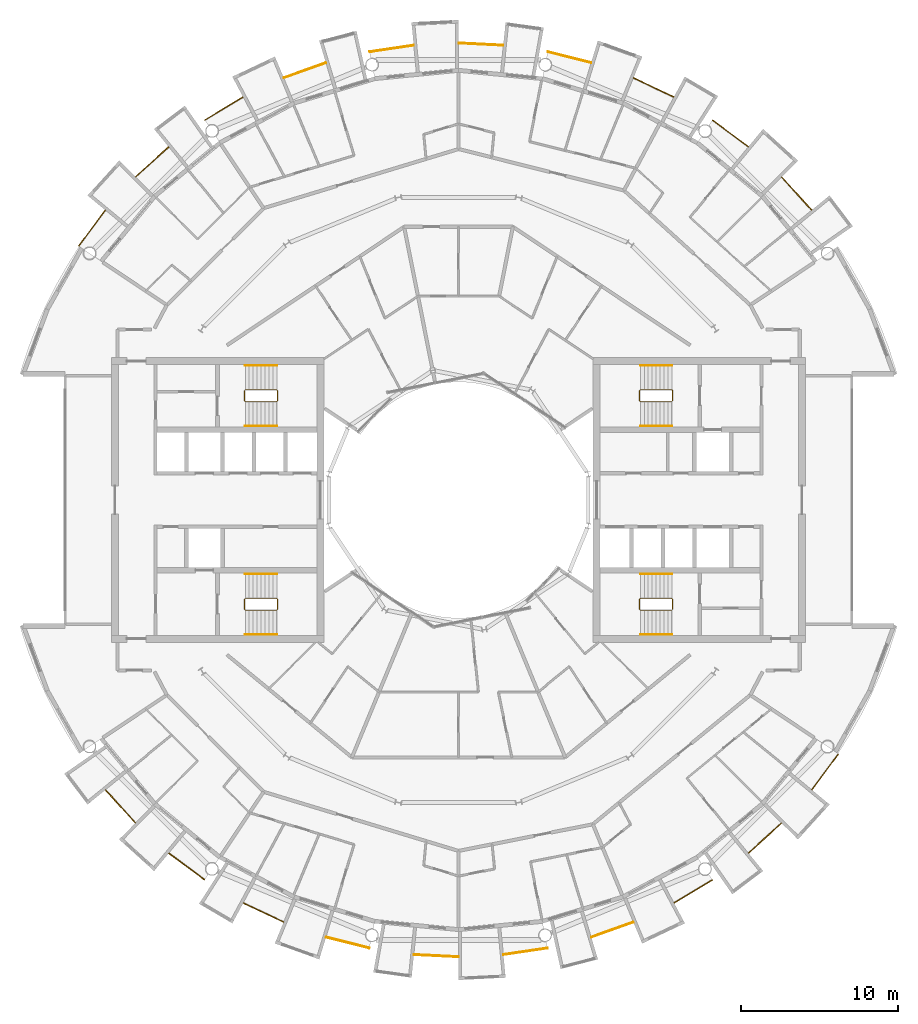
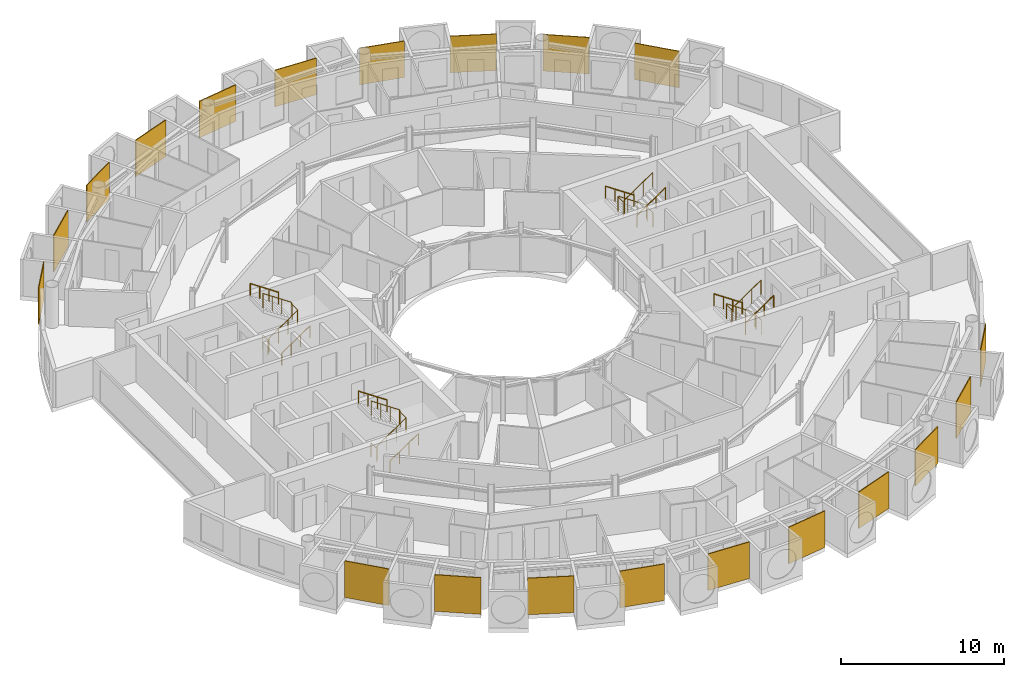
# One storey, part 27 of 27: 32 railings.
"""IFC4 building model written with IfcOpenShell, lengths in metres."""

from ifc_helpers import new_model, si_unit, direction, frame, origin, origin_2d, place, context, subcontext, project, spatial, polyline, circle, outline, extrude, material, layer, layer_set, type_object, element, save


model = new_model("IFC4")

# Units and contexts
model_context = context("Model", 3, precision=1e-05, world=origin(), true_north=direction((0.0, 1.0)))
body_context = subcontext(model_context, "Body", "Model", "MODEL_VIEW")
ifc_project = project(units=[si_unit("LENGTHUNIT", "METRE"), si_unit("AREAUNIT", "SQUARE_METRE"), si_unit("VOLUMEUNIT", "CUBIC_METRE"), si_unit("PLANEANGLEUNIT", "RADIAN"), si_unit("MASSUNIT", "GRAM", prefix="KILO")], contexts=[model_context])

# Site, building, storey
site_placement = place(None, origin())
site = spatial("IfcSite", under=ifc_project, at=site_placement, CompositionType="ELEMENT")
building_placement = place(site_placement, origin())
building = spatial("IfcBuilding", under=site, at=building_placement, Name="Maasbend Ring Residences", CompositionType="ELEMENT")
storey_placement = place(building_placement, frame((0.0, 0.0, 199.35009765625)))
storey = spatial("IfcBuildingStorey", under=building, at=storey_placement, Name="L57", CompositionType="ELEMENT", Elevation=199.35009765625)

# Railings
ifc_material_1 = material(Name="Pale anodised perforated aluminium", Category="aluminium")
ifc_layer = layer(ifc_material_1, 0.06005859375)
ifc_layer_set = layer_set([ifc_layer], Name="SCREEN-P")
railing_type_1 = type_object("IfcRailingType", Name="SCREEN-P", PredefinedType="GUARDRAIL", material=ifc_layer_set)
railing_1_placement = place(storey_placement, frame((0.0, 0.0, -0.030029296875)))
element("IfcRailing", 1, at=railing_1_placement, inside=storey, type_object=railing_type_1, Name="Perforated screen guard 1", PredefinedType="GUARDRAIL", context=body_context, shape_type="SweptSolid", body=[
    extrude(outline(polyline([(22.4169921875, 18.39697265625), (20.506103515625, 20.506103515625), (20.551025390625, 20.5458984375), (22.4619140625, 18.43798828125), (22.4169921875, 18.39697265625)])), origin(), (0.0, 0.0, 1.0), 2.72998046875),
])
railing_2_placement = place(storey_placement, frame((0.0, 0.0, -0.030029296875)))
element("IfcRailing", 2, at=railing_2_placement, inside=storey, type_object=railing_type_1, Name="Perforated screen guard 2", PredefinedType="GUARDRAIL", context=body_context, shape_type="SweptSolid", body=[
    extrude(outline(polyline([(18.39697265625, 22.4169921875), (16.112060546875, 24.113037109375), (16.14697265625, 24.160888671875), (18.43310546875, 22.465087890625), (18.39697265625, 22.4169921875)])), origin(), (0.0, 0.0, 1.0), 2.72998046875),
])
railing_3_placement = place(storey_placement, frame((0.0, 0.0, -0.030029296875)))
element("IfcRailing", 3, at=railing_3_placement, inside=storey, type_object=railing_type_1, Name="Perforated screen guard 3", PredefinedType="GUARDRAIL", context=body_context, shape_type="SweptSolid", body=[
    extrude(outline(polyline([(13.6708984375, 25.575927734375), (11.097900390625, 26.79296875), (11.123046875, 26.846923828125), (13.696044921875, 25.6298828125), (13.6708984375, 25.575927734375)])), origin(), (0.0, 0.0, 1.0), 2.72998046875),
])
railing_4_placement = place(storey_placement, frame((0.0, 0.0, -0.030029296875)))
element("IfcRailing", 4, at=railing_4_placement, inside=storey, type_object=railing_type_1, Name="Perforated screen guard 4", PredefinedType="GUARDRAIL", context=body_context, shape_type="SweptSolid", body=[
    extrude(outline(polyline([(8.41796875, 27.7509765625), (5.657958984375, 28.443115234375), (5.672119140625, 28.5009765625), (8.43310546875, 27.80908203125), (8.41796875, 27.7509765625)])), origin(), (0.0, 0.0, 1.0), 2.72998046875),
])
railing_5_placement = place(storey_placement, frame((0.0, 0.0, -0.030029296875)))
element("IfcRailing", 5, at=railing_5_placement, inside=storey, type_object=railing_type_1, Name="Perforated screen guard 5", PredefinedType="GUARDRAIL", context=body_context, shape_type="SweptSolid", body=[
    extrude(outline(polyline([(2.842041015625, 28.860107421875), (0.0, 29.0), (0.0029296875, 29.06005859375), (2.844970703125, 28.919921875), (2.842041015625, 28.860107421875)])), origin(), (0.0, 0.0, 1.0), 2.72998046875),
])
railing_6_placement = place(storey_placement, frame((0.0, 0.0, -0.030029296875)))
element("IfcRailing", 6, at=railing_6_placement, inside=storey, type_object=railing_type_1, Name="Perforated screen guard 6", PredefinedType="GUARDRAIL", context=body_context, shape_type="SweptSolid", body=[
    extrude(outline(polyline([(-2.842041015625, 28.860107421875), (-5.657958984375, 28.443115234375), (-5.666015625, 28.501953125), (-2.85107421875, 28.919921875), (-2.842041015625, 28.860107421875)])), origin(), (0.0, 0.0, 1.0), 2.72998046875),
])
railing_7_placement = place(storey_placement, frame((0.0, 0.0, -0.030029296875)))
element("IfcRailing", 7, at=railing_7_placement, inside=storey, type_object=railing_type_1, Name="Perforated screen guard 7", PredefinedType="GUARDRAIL", context=body_context, shape_type="SweptSolid", body=[
    extrude(outline(polyline([(-8.41796875, 27.7509765625), (-11.097900390625, 26.79296875), (-11.117919921875, 26.84912109375), (-8.43798828125, 27.80810546875), (-8.41796875, 27.7509765625)])), origin(), (0.0, 0.0, 1.0), 2.72998046875),
])
railing_8_placement = place(storey_placement, frame((0.0, 0.0, -0.030029296875)))
element("IfcRailing", 8, at=railing_8_placement, inside=storey, type_object=railing_type_1, Name="Perforated screen guard 8", PredefinedType="GUARDRAIL", context=body_context, shape_type="SweptSolid", body=[
    extrude(outline(polyline([(-13.6708984375, 25.575927734375), (-16.112060546875, 24.113037109375), (-16.14208984375, 24.1640625), (-13.700927734375, 25.626953125), (-13.6708984375, 25.575927734375)])), origin(), (0.0, 0.0, 1.0), 2.72998046875),
])
railing_9_placement = place(storey_placement, frame((0.0, 0.0, -0.030029296875)))
element("IfcRailing", 9, at=railing_9_placement, inside=storey, type_object=railing_type_1, Name="Perforated screen guard 9", PredefinedType="GUARDRAIL", context=body_context, shape_type="SweptSolid", body=[
    extrude(outline(polyline([(-18.39697265625, 22.4169921875), (-20.506103515625, 20.506103515625), (-20.5458984375, 20.551025390625), (-18.43798828125, 22.4619140625), (-18.39697265625, 22.4169921875)])), origin(), (0.0, 0.0, 1.0), 2.72998046875),
])
railing_10_placement = place(storey_placement, frame((0.0, 0.0, -0.030029296875)))
element("IfcRailing", 10, at=railing_10_placement, inside=storey, type_object=railing_type_1, Name="Perforated screen guard 10", PredefinedType="GUARDRAIL", context=body_context, shape_type="SweptSolid", body=[
    extrude(outline(polyline([(-22.4169921875, 18.39697265625), (-24.113037109375, 16.112060546875), (-24.160888671875, 16.14697265625), (-22.465087890625, 18.43310546875), (-22.4169921875, 18.39697265625)])), origin(), (0.0, 0.0, 1.0), 2.72998046875),
])
railing_11_placement = place(storey_placement, frame((0.0, 0.0, -0.030029296875)))
element("IfcRailing", 11, at=railing_11_placement, inside=storey, type_object=railing_type_1, Name="Perforated screen guard 1", PredefinedType="GUARDRAIL", context=body_context, shape_type="SweptSolid", body=[
    extrude(outline(polyline([(-22.4169921875, -18.39697265625), (-20.506103515625, -20.506103515625), (-20.551025390625, -20.5458984375), (-22.4619140625, -18.43798828125), (-22.4169921875, -18.39697265625)])), origin(), (0.0, 0.0, 1.0), 2.72998046875),
])
railing_12_placement = place(storey_placement, frame((0.0, 0.0, -0.030029296875)))
element("IfcRailing", 12, at=railing_12_placement, inside=storey, type_object=railing_type_1, Name="Perforated screen guard 2", PredefinedType="GUARDRAIL", context=body_context, shape_type="SweptSolid", body=[
    extrude(outline(polyline([(-18.39697265625, -22.4169921875), (-16.112060546875, -24.113037109375), (-16.14697265625, -24.160888671875), (-18.43310546875, -22.465087890625), (-18.39697265625, -22.4169921875)])), origin(), (0.0, 0.0, 1.0), 2.72998046875),
])
railing_13_placement = place(storey_placement, frame((0.0, 0.0, -0.030029296875)))
element("IfcRailing", 13, at=railing_13_placement, inside=storey, type_object=railing_type_1, Name="Perforated screen guard 3", PredefinedType="GUARDRAIL", context=body_context, shape_type="SweptSolid", body=[
    extrude(outline(polyline([(-13.6708984375, -25.575927734375), (-11.097900390625, -26.79296875), (-11.123046875, -26.846923828125), (-13.696044921875, -25.6298828125), (-13.6708984375, -25.575927734375)])), origin(), (0.0, 0.0, 1.0), 2.72998046875),
])
railing_14_placement = place(storey_placement, frame((0.0, 0.0, -0.030029296875)))
element("IfcRailing", 14, at=railing_14_placement, inside=storey, type_object=railing_type_1, Name="Perforated screen guard 4", PredefinedType="GUARDRAIL", context=body_context, shape_type="SweptSolid", body=[
    extrude(outline(polyline([(-8.41796875, -27.7509765625), (-5.657958984375, -28.443115234375), (-5.672119140625, -28.5009765625), (-8.43310546875, -27.80908203125), (-8.41796875, -27.7509765625)])), origin(), (0.0, 0.0, 1.0), 2.72998046875),
])
railing_15_placement = place(storey_placement, frame((0.0, 0.0, -0.030029296875)))
element("IfcRailing", 15, at=railing_15_placement, inside=storey, type_object=railing_type_1, Name="Perforated screen guard 5", PredefinedType="GUARDRAIL", context=body_context, shape_type="SweptSolid", body=[
    extrude(outline(polyline([(-2.842041015625, -28.860107421875), (0.0, -29.0), (-0.0029296875, -29.06005859375), (-2.844970703125, -28.919921875), (-2.842041015625, -28.860107421875)])), origin(), (0.0, 0.0, 1.0), 2.72998046875),
])
railing_16_placement = place(storey_placement, frame((0.0, 0.0, -0.030029296875)))
element("IfcRailing", 16, at=railing_16_placement, inside=storey, type_object=railing_type_1, Name="Perforated screen guard 6", PredefinedType="GUARDRAIL", context=body_context, shape_type="SweptSolid", body=[
    extrude(outline(polyline([(2.842041015625, -28.860107421875), (5.657958984375, -28.443115234375), (5.666015625, -28.501953125), (2.85107421875, -28.919921875), (2.842041015625, -28.860107421875)])), origin(), (0.0, 0.0, 1.0), 2.72998046875),
])
railing_17_placement = place(storey_placement, frame((0.0, 0.0, -0.030029296875)))
element("IfcRailing", 17, at=railing_17_placement, inside=storey, type_object=railing_type_1, Name="Perforated screen guard 7", PredefinedType="GUARDRAIL", context=body_context, shape_type="SweptSolid", body=[
    extrude(outline(polyline([(8.41796875, -27.7509765625), (11.097900390625, -26.79296875), (11.117919921875, -26.84912109375), (8.43798828125, -27.80810546875), (8.41796875, -27.7509765625)])), origin(), (0.0, 0.0, 1.0), 2.72998046875),
])
railing_18_placement = place(storey_placement, frame((0.0, 0.0, -0.030029296875)))
element("IfcRailing", 18, at=railing_18_placement, inside=storey, type_object=railing_type_1, Name="Perforated screen guard 8", PredefinedType="GUARDRAIL", context=body_context, shape_type="SweptSolid", body=[
    extrude(outline(polyline([(13.6708984375, -25.575927734375), (16.112060546875, -24.113037109375), (16.14208984375, -24.1640625), (13.700927734375, -25.626953125), (13.6708984375, -25.575927734375)])), origin(), (0.0, 0.0, 1.0), 2.72998046875),
])
railing_19_placement = place(storey_placement, frame((0.0, 0.0, -0.030029296875)))
element("IfcRailing", 19, at=railing_19_placement, inside=storey, type_object=railing_type_1, Name="Perforated screen guard 9", PredefinedType="GUARDRAIL", context=body_context, shape_type="SweptSolid", body=[
    extrude(outline(polyline([(18.39697265625, -22.4169921875), (20.506103515625, -20.506103515625), (20.5458984375, -20.551025390625), (18.43798828125, -22.4619140625), (18.39697265625, -22.4169921875)])), origin(), (0.0, 0.0, 1.0), 2.72998046875),
])
railing_20_placement = place(storey_placement, frame((0.0, 0.0, -0.030029296875)))
element("IfcRailing", 20, at=railing_20_placement, inside=storey, type_object=railing_type_1, Name="Perforated screen guard 10", PredefinedType="GUARDRAIL", context=body_context, shape_type="SweptSolid", body=[
    extrude(outline(polyline([(22.4169921875, -18.39697265625), (24.113037109375, -16.112060546875), (24.160888671875, -16.14697265625), (22.465087890625, -18.43310546875), (22.4169921875, -18.39697265625)])), origin(), (0.0, 0.0, 1.0), 2.72998046875),
])
ifc_material_2 = material(Name="Stainless steel 316", Category="steel")
railing_type_2 = type_object("IfcRailingType", Name="STAIR GUARD 1100", PredefinedType="GUARDRAIL", material=ifc_material_2)
railing_21_placement = place(storey_placement, frame((13.60009765625, 6.300048828125, 0.0)))
element("IfcRailing", 21, at=railing_21_placement, inside=storey, type_object=railing_type_2, Name="L57 ST-E1 stair guard 1", PredefinedType="GUARDRAIL", context=body_context, shape_type="SweptSolid", body=[
    extrude(circle(Radius=0.02392578125, at=origin_2d()), frame((0.0, 0.0, 1.076171875), z_axis=(0.0, 1.0, 0.0), x_axis=(-1.0, 0.0, 0.0)), (0.0, 0.0, 1.0), 0.64990234375),
    extrude(circle(Radius=0.02392578125, at=origin_2d()), frame((0.0, 0.64990234375, 1.076171875), z_axis=(-0.272562526181, 0.272562526181, 0.92272386912), x_axis=(-0.707106781187, -0.707106781187, 0.0)), (0.0, 0.0, 1.0), 0.18359375),
    extrude(circle(Radius=0.02392578125, at=origin_2d()), frame((-0.050048828125, 0.699951171875, 1.24560546875), z_axis=(-0.827797584762, 0.0, 0.561026878735), x_axis=(0.0, -1.0, 0.0)), (0.0, 0.0, 1.0), 2.416015625),
    extrude(circle(Radius=0.02392578125, at=origin_2d()), frame((-2.050048828125, 0.699951171875, 2.60107421875), z_axis=(-0.707106781187, -0.707106781187, 0.0), x_axis=(0.707106781187, -0.707106781187, 0.0)), (0.0, 0.0, 1.0), 0.07080078125),
    extrude(circle(Radius=0.02392578125, at=origin_2d()), frame((-2.10009765625, 0.64990234375, 2.60107421875), z_axis=(0.0, -1.0, 0.0), x_axis=(1.0, 0.0, 0.0)), (0.0, 0.0, 1.0), 0.64990234375),
    extrude(circle(Radius=0.02392578125, at=origin_2d()), frame((-2.10009765625, 0.0, 2.60107421875), z_axis=(0.272562526181, -0.272562526181, 0.92272386912), x_axis=(0.707106781187, 0.707106781187, 0.0)), (0.0, 0.0, 1.0), 0.18359375),
    extrude(circle(Radius=0.02392578125, at=origin_2d()), frame((-2.050048828125, -0.050048828125, 2.7705078125), z_axis=(0.827797584762, 0.0, 0.561026878735), x_axis=(0.0, 1.0, 0.0)), (0.0, 0.0, 1.0), 2.416015625),
    extrude(circle(Radius=0.02099609375, at=origin_2d()), origin(), (0.0, 0.0, 1.0), 1.052001953125),
    extrude(circle(Radius=0.02099609375, at=origin_2d()), frame((0.0, 0.64990234375, 0.0)), (0.0, 0.0, 1.0), 1.052001953125),
    extrude(circle(Radius=0.02099609375, at=origin_2d()), frame((-0.050048828125, 0.699951171875, 0.16943359375)), (0.0, 0.0, 1.0), 1.052001953125),
    extrude(circle(Radius=0.02099609375, at=origin_2d()), frame((-0.716796875, 0.699951171875, 0.621337890625)), (0.0, 0.0, 1.0), 1.052001953125),
    extrude(circle(Radius=0.02099609375, at=origin_2d()), frame((-1.38330078125, 0.699951171875, 1.072998046875)), (0.0, 0.0, 1.0), 1.052001953125),
    extrude(circle(Radius=0.02099609375, at=origin_2d()), frame((-2.050048828125, 0.699951171875, 1.52490234375)), (0.0, 0.0, 1.0), 1.052001953125),
    extrude(circle(Radius=0.02099609375, at=origin_2d()), frame((-2.10009765625, 0.64990234375, 1.52490234375)), (0.0, 0.0, 1.0), 1.052001953125),
    extrude(circle(Radius=0.02099609375, at=origin_2d()), frame((-2.10009765625, 0.0, 1.52490234375)), (0.0, 0.0, 1.0), 1.052001953125),
    extrude(circle(Radius=0.02099609375, at=origin_2d()), frame((-2.050048828125, -0.050048828125, 1.6943359375)), (0.0, 0.0, 1.0), 1.052001953125),
    extrude(circle(Radius=0.02099609375, at=origin_2d()), frame((-1.38330078125, -0.050048828125, 2.146240234375)), (0.0, 0.0, 1.0), 1.052001953125),
    extrude(circle(Radius=0.02099609375, at=origin_2d()), frame((-0.716796875, -0.050048828125, 2.597900390625)), (0.0, 0.0, 1.0), 1.052001953125),
    extrude(circle(Radius=0.02099609375, at=origin_2d()), frame((-0.050048828125, -0.050048828125, 3.0498046875)), (0.0, 0.0, 1.0), 1.052001953125),
])
railing_22_placement = place(storey_placement, frame((13.60009765625, -6.949951171875, 0.0)))
element("IfcRailing", 22, at=railing_22_placement, inside=storey, type_object=railing_type_2, Name="L57 ST-E2 stair guard 1", PredefinedType="GUARDRAIL", context=body_context, shape_type="SweptSolid", body=[
    extrude(circle(Radius=0.02392578125, at=origin_2d()), frame((0.0, 0.0, 1.076171875), z_axis=(0.0, 1.0, 0.0), x_axis=(-1.0, 0.0, 0.0)), (0.0, 0.0, 1.0), 0.64990234375),
    extrude(circle(Radius=0.02392578125, at=origin_2d()), frame((0.0, 0.64990234375, 1.076171875), z_axis=(-0.272562526181, 0.272562526181, 0.92272386912), x_axis=(-0.707106781187, -0.707106781187, 0.0)), (0.0, 0.0, 1.0), 0.18359375),
    extrude(circle(Radius=0.02392578125, at=origin_2d()), frame((-0.050048828125, 0.699951171875, 1.24560546875), z_axis=(-0.827797584762, 0.0, 0.561026878735), x_axis=(0.0, -1.0, 0.0)), (0.0, 0.0, 1.0), 2.416015625),
    extrude(circle(Radius=0.02392578125, at=origin_2d()), frame((-2.050048828125, 0.699951171875, 2.60107421875), z_axis=(-0.707106781187, -0.707106781187, 0.0), x_axis=(0.707106781187, -0.707106781187, 0.0)), (0.0, 0.0, 1.0), 0.07080078125),
    extrude(circle(Radius=0.02392578125, at=origin_2d()), frame((-2.10009765625, 0.64990234375, 2.60107421875), z_axis=(0.0, -1.0, 0.0), x_axis=(1.0, 0.0, 0.0)), (0.0, 0.0, 1.0), 0.64990234375),
    extrude(circle(Radius=0.02392578125, at=origin_2d()), frame((-2.10009765625, 0.0, 2.60107421875), z_axis=(0.272562526181, -0.272562526181, 0.92272386912), x_axis=(0.707106781187, 0.707106781187, 0.0)), (0.0, 0.0, 1.0), 0.18359375),
    extrude(circle(Radius=0.02392578125, at=origin_2d()), frame((-2.050048828125, -0.050048828125, 2.7705078125), z_axis=(0.827797584762, 0.0, 0.561026878735), x_axis=(0.0, 1.0, 0.0)), (0.0, 0.0, 1.0), 2.416015625),
    extrude(circle(Radius=0.02099609375, at=origin_2d()), origin(), (0.0, 0.0, 1.0), 1.052001953125),
    extrude(circle(Radius=0.02099609375, at=origin_2d()), frame((0.0, 0.64990234375, 0.0)), (0.0, 0.0, 1.0), 1.052001953125),
    extrude(circle(Radius=0.02099609375, at=origin_2d()), frame((-0.050048828125, 0.699951171875, 0.16943359375)), (0.0, 0.0, 1.0), 1.052001953125),
    extrude(circle(Radius=0.02099609375, at=origin_2d()), frame((-0.716796875, 0.699951171875, 0.621337890625)), (0.0, 0.0, 1.0), 1.052001953125),
    extrude(circle(Radius=0.02099609375, at=origin_2d()), frame((-1.38330078125, 0.699951171875, 1.072998046875)), (0.0, 0.0, 1.0), 1.052001953125),
    extrude(circle(Radius=0.02099609375, at=origin_2d()), frame((-2.050048828125, 0.699951171875, 1.52490234375)), (0.0, 0.0, 1.0), 1.052001953125),
    extrude(circle(Radius=0.02099609375, at=origin_2d()), frame((-2.10009765625, 0.64990234375, 1.52490234375)), (0.0, 0.0, 1.0), 1.052001953125),
    extrude(circle(Radius=0.02099609375, at=origin_2d()), frame((-2.10009765625, 0.0, 1.52490234375)), (0.0, 0.0, 1.0), 1.052001953125),
    extrude(circle(Radius=0.02099609375, at=origin_2d()), frame((-2.050048828125, -0.050048828125, 1.6943359375)), (0.0, 0.0, 1.0), 1.052001953125),
    extrude(circle(Radius=0.02099609375, at=origin_2d()), frame((-1.38330078125, -0.050048828125, 2.146240234375)), (0.0, 0.0, 1.0), 1.052001953125),
    extrude(circle(Radius=0.02099609375, at=origin_2d()), frame((-0.716796875, -0.050048828125, 2.597900390625)), (0.0, 0.0, 1.0), 1.052001953125),
    extrude(circle(Radius=0.02099609375, at=origin_2d()), frame((-0.050048828125, -0.050048828125, 3.0498046875)), (0.0, 0.0, 1.0), 1.052001953125),
])
railing_23_placement = place(storey_placement, frame((-13.60009765625, -6.300048828125, 0.0)))
element("IfcRailing", 23, at=railing_23_placement, inside=storey, type_object=railing_type_2, Name="L57 ST-W1 stair guard 1", PredefinedType="GUARDRAIL", context=body_context, shape_type="SweptSolid", body=[
    extrude(circle(Radius=0.02392578125, at=origin_2d()), frame((0.0, 0.0, 1.076171875), z_axis=(0.0, -1.0, 0.0), x_axis=(1.0, 0.0, 0.0)), (0.0, 0.0, 1.0), 0.64990234375),
    extrude(circle(Radius=0.02392578125, at=origin_2d()), frame((0.0, -0.64990234375, 1.076171875), z_axis=(0.272562526181, -0.272562526181, 0.92272386912), x_axis=(0.707106781187, 0.707106781187, 0.0)), (0.0, 0.0, 1.0), 0.18359375),
    extrude(circle(Radius=0.02392578125, at=origin_2d()), frame((0.050048828125, -0.699951171875, 1.24560546875), z_axis=(0.827797584762, 0.0, 0.561026878735), x_axis=(0.0, 1.0, 0.0)), (0.0, 0.0, 1.0), 2.416015625),
    extrude(circle(Radius=0.02392578125, at=origin_2d()), frame((2.050048828125, -0.699951171875, 2.60107421875), z_axis=(0.707106781187, 0.707106781187, 0.0), x_axis=(-0.707106781187, 0.707106781187, 0.0)), (0.0, 0.0, 1.0), 0.07080078125),
    extrude(circle(Radius=0.02392578125, at=origin_2d()), frame((2.10009765625, -0.64990234375, 2.60107421875), z_axis=(0.0, 1.0, 0.0), x_axis=(-1.0, 0.0, 0.0)), (0.0, 0.0, 1.0), 0.64990234375),
    extrude(circle(Radius=0.02392578125, at=origin_2d()), frame((2.10009765625, 0.0, 2.60107421875), z_axis=(-0.272562526181, 0.272562526181, 0.92272386912), x_axis=(-0.707106781187, -0.707106781187, 0.0)), (0.0, 0.0, 1.0), 0.18359375),
    extrude(circle(Radius=0.02392578125, at=origin_2d()), frame((2.050048828125, 0.050048828125, 2.7705078125), z_axis=(-0.827797584762, 0.0, 0.561026878735), x_axis=(0.0, -1.0, 0.0)), (0.0, 0.0, 1.0), 2.416015625),
    extrude(circle(Radius=0.02099609375, at=origin_2d()), origin(), (0.0, 0.0, 1.0), 1.052001953125),
    extrude(circle(Radius=0.02099609375, at=origin_2d()), frame((0.0, -0.64990234375, 0.0)), (0.0, 0.0, 1.0), 1.052001953125),
    extrude(circle(Radius=0.02099609375, at=origin_2d()), frame((0.050048828125, -0.699951171875, 0.16943359375)), (0.0, 0.0, 1.0), 1.052001953125),
    extrude(circle(Radius=0.02099609375, at=origin_2d()), frame((0.716796875, -0.699951171875, 0.621337890625)), (0.0, 0.0, 1.0), 1.052001953125),
    extrude(circle(Radius=0.02099609375, at=origin_2d()), frame((1.38330078125, -0.699951171875, 1.072998046875)), (0.0, 0.0, 1.0), 1.052001953125),
    extrude(circle(Radius=0.02099609375, at=origin_2d()), frame((2.050048828125, -0.699951171875, 1.52490234375)), (0.0, 0.0, 1.0), 1.052001953125),
    extrude(circle(Radius=0.02099609375, at=origin_2d()), frame((2.10009765625, -0.64990234375, 1.52490234375)), (0.0, 0.0, 1.0), 1.052001953125),
    extrude(circle(Radius=0.02099609375, at=origin_2d()), frame((2.10009765625, 0.0, 1.52490234375)), (0.0, 0.0, 1.0), 1.052001953125),
    extrude(circle(Radius=0.02099609375, at=origin_2d()), frame((2.050048828125, 0.050048828125, 1.6943359375)), (0.0, 0.0, 1.0), 1.052001953125),
    extrude(circle(Radius=0.02099609375, at=origin_2d()), frame((1.38330078125, 0.050048828125, 2.146240234375)), (0.0, 0.0, 1.0), 1.052001953125),
    extrude(circle(Radius=0.02099609375, at=origin_2d()), frame((0.716796875, 0.050048828125, 2.597900390625)), (0.0, 0.0, 1.0), 1.052001953125),
    extrude(circle(Radius=0.02099609375, at=origin_2d()), frame((0.050048828125, 0.050048828125, 3.0498046875)), (0.0, 0.0, 1.0), 1.052001953125),
])
railing_24_placement = place(storey_placement, frame((-13.60009765625, 6.949951171875, 0.0)))
element("IfcRailing", 24, at=railing_24_placement, inside=storey, type_object=railing_type_2, Name="L57 ST-W2 stair guard 1", PredefinedType="GUARDRAIL", context=body_context, shape_type="SweptSolid", body=[
    extrude(circle(Radius=0.02392578125, at=origin_2d()), frame((0.0, 0.0, 1.076171875), z_axis=(0.0, -1.0, 0.0), x_axis=(1.0, 0.0, 0.0)), (0.0, 0.0, 1.0), 0.64990234375),
    extrude(circle(Radius=0.02392578125, at=origin_2d()), frame((0.0, -0.64990234375, 1.076171875), z_axis=(0.272562526181, -0.272562526181, 0.92272386912), x_axis=(0.707106781187, 0.707106781187, 0.0)), (0.0, 0.0, 1.0), 0.18359375),
    extrude(circle(Radius=0.02392578125, at=origin_2d()), frame((0.050048828125, -0.699951171875, 1.24560546875), z_axis=(0.827797584762, 0.0, 0.561026878735), x_axis=(0.0, 1.0, 0.0)), (0.0, 0.0, 1.0), 2.416015625),
    extrude(circle(Radius=0.02392578125, at=origin_2d()), frame((2.050048828125, -0.699951171875, 2.60107421875), z_axis=(0.707106781187, 0.707106781187, 0.0), x_axis=(-0.707106781187, 0.707106781187, 0.0)), (0.0, 0.0, 1.0), 0.07080078125),
    extrude(circle(Radius=0.02392578125, at=origin_2d()), frame((2.10009765625, -0.64990234375, 2.60107421875), z_axis=(0.0, 1.0, 0.0), x_axis=(-1.0, 0.0, 0.0)), (0.0, 0.0, 1.0), 0.64990234375),
    extrude(circle(Radius=0.02392578125, at=origin_2d()), frame((2.10009765625, 0.0, 2.60107421875), z_axis=(-0.272562526181, 0.272562526181, 0.92272386912), x_axis=(-0.707106781187, -0.707106781187, 0.0)), (0.0, 0.0, 1.0), 0.18359375),
    extrude(circle(Radius=0.02392578125, at=origin_2d()), frame((2.050048828125, 0.050048828125, 2.7705078125), z_axis=(-0.827797584762, 0.0, 0.561026878735), x_axis=(0.0, -1.0, 0.0)), (0.0, 0.0, 1.0), 2.416015625),
    extrude(circle(Radius=0.02099609375, at=origin_2d()), origin(), (0.0, 0.0, 1.0), 1.052001953125),
    extrude(circle(Radius=0.02099609375, at=origin_2d()), frame((0.0, -0.64990234375, 0.0)), (0.0, 0.0, 1.0), 1.052001953125),
    extrude(circle(Radius=0.02099609375, at=origin_2d()), frame((0.050048828125, -0.699951171875, 0.16943359375)), (0.0, 0.0, 1.0), 1.052001953125),
    extrude(circle(Radius=0.02099609375, at=origin_2d()), frame((0.716796875, -0.699951171875, 0.621337890625)), (0.0, 0.0, 1.0), 1.052001953125),
    extrude(circle(Radius=0.02099609375, at=origin_2d()), frame((1.38330078125, -0.699951171875, 1.072998046875)), (0.0, 0.0, 1.0), 1.052001953125),
    extrude(circle(Radius=0.02099609375, at=origin_2d()), frame((2.050048828125, -0.699951171875, 1.52490234375)), (0.0, 0.0, 1.0), 1.052001953125),
    extrude(circle(Radius=0.02099609375, at=origin_2d()), frame((2.10009765625, -0.64990234375, 1.52490234375)), (0.0, 0.0, 1.0), 1.052001953125),
    extrude(circle(Radius=0.02099609375, at=origin_2d()), frame((2.10009765625, 0.0, 1.52490234375)), (0.0, 0.0, 1.0), 1.052001953125),
    extrude(circle(Radius=0.02099609375, at=origin_2d()), frame((2.050048828125, 0.050048828125, 1.6943359375)), (0.0, 0.0, 1.0), 1.052001953125),
    extrude(circle(Radius=0.02099609375, at=origin_2d()), frame((1.38330078125, 0.050048828125, 2.146240234375)), (0.0, 0.0, 1.0), 1.052001953125),
    extrude(circle(Radius=0.02099609375, at=origin_2d()), frame((0.716796875, 0.050048828125, 2.597900390625)), (0.0, 0.0, 1.0), 1.052001953125),
    extrude(circle(Radius=0.02099609375, at=origin_2d()), frame((0.050048828125, 0.050048828125, 3.0498046875)), (0.0, 0.0, 1.0), 1.052001953125),
])
ifc_material_3 = material(Name="Stainless steel 316", Category="steel")
railing_type_3 = type_object("IfcRailingType", Name="STAIR HANDRAIL 900", PredefinedType="HANDRAIL", material=ifc_material_3)
railing_25_placement = place(storey_placement, frame((13.550048828125, 8.550048828125, 0.16943359375)))
element("IfcRailing", 25, at=railing_25_placement, inside=storey, type_object=railing_type_3, Name="L57 ST-E1 stair handrail 1", PredefinedType="HANDRAIL", context=body_context, shape_type="SweptSolid", body=[
    extrude(circle(Radius=0.02392578125, at=origin_2d()), frame((0.0, 0.0, 0.8759765625), z_axis=(-0.827797584762, 0.0, 0.561026878735), x_axis=(0.0, -1.0, 0.0)), (0.0, 0.0, 1.0), 2.416015625),
    extrude(circle(Radius=0.02099609375, at=origin_2d()), origin(), (0.0, 0.0, 1.0), 0.851806640625),
    extrude(circle(Radius=0.02099609375, at=origin_2d()), frame((-0.666748046875, 0.0, 0.451904296875)), (0.0, 0.0, 1.0), 0.851806640625),
    extrude(circle(Radius=0.02099609375, at=origin_2d()), frame((-1.333251953125, 0.0, 0.903564453125)), (0.0, 0.0, 1.0), 0.851806640625),
    extrude(circle(Radius=0.02099609375, at=origin_2d()), frame((-2.0, 0.0, 1.35546875)), (0.0, 0.0, 1.0), 0.851806640625),
])
railing_26_placement = place(storey_placement, frame((11.550048828125, 4.699951171875, 1.6943359375)))
element("IfcRailing", 26, at=railing_26_placement, inside=storey, type_object=railing_type_3, Name="L57 ST-E1 stair handrail 2", PredefinedType="HANDRAIL", context=body_context, shape_type="SweptSolid", body=[
    extrude(circle(Radius=0.02392578125, at=origin_2d()), frame((0.0, 0.0, 0.8759765625), z_axis=(0.827797584762, 0.0, 0.561026878735), x_axis=(0.0, 1.0, 0.0)), (0.0, 0.0, 1.0), 2.416015625),
    extrude(circle(Radius=0.02099609375, at=origin_2d()), origin(), (0.0, 0.0, 1.0), 0.851806640625),
    extrude(circle(Radius=0.02099609375, at=origin_2d()), frame((0.666748046875, 0.0, 0.451904296875)), (0.0, 0.0, 1.0), 0.851806640625),
    extrude(circle(Radius=0.02099609375, at=origin_2d()), frame((1.333251953125, 0.0, 0.903564453125)), (0.0, 0.0, 1.0), 0.851806640625),
    extrude(circle(Radius=0.02099609375, at=origin_2d()), frame((2.0, 0.0, 1.35546875)), (0.0, 0.0, 1.0), 0.851806640625),
])
railing_27_placement = place(storey_placement, frame((13.550048828125, -4.699951171875, 0.16943359375)))
element("IfcRailing", 27, at=railing_27_placement, inside=storey, type_object=railing_type_3, Name="L57 ST-E2 stair handrail 1", PredefinedType="HANDRAIL", context=body_context, shape_type="SweptSolid", body=[
    extrude(circle(Radius=0.02392578125, at=origin_2d()), frame((0.0, 0.0, 0.8759765625), z_axis=(-0.827797584762, 0.0, 0.561026878735), x_axis=(0.0, -1.0, 0.0)), (0.0, 0.0, 1.0), 2.416015625),
    extrude(circle(Radius=0.02099609375, at=origin_2d()), origin(), (0.0, 0.0, 1.0), 0.851806640625),
    extrude(circle(Radius=0.02099609375, at=origin_2d()), frame((-0.666748046875, 0.0, 0.451904296875)), (0.0, 0.0, 1.0), 0.851806640625),
    extrude(circle(Radius=0.02099609375, at=origin_2d()), frame((-1.333251953125, 0.0, 0.903564453125)), (0.0, 0.0, 1.0), 0.851806640625),
    extrude(circle(Radius=0.02099609375, at=origin_2d()), frame((-2.0, 0.0, 1.35546875)), (0.0, 0.0, 1.0), 0.851806640625),
])
for number, where, name in (
    (28, (11.550048828125, -8.550048828125, 1.6943359375), "L57 ST-E2 stair handrail 2"),
    (29, (-13.550048828125, -8.550048828125, 0.16943359375), "L57 ST-W1 stair handrail 1"),
):
    element("IfcRailing", number, at=place(storey_placement, frame(where)), inside=storey, type_object=railing_type_3, Name=name, PredefinedType="HANDRAIL", context=body_context, shape_type="SweptSolid", body=[
        extrude(circle(Radius=0.02392578125, at=origin_2d()), frame((0.0, 0.0, 0.8759765625), z_axis=(0.827797584762, 0.0, 0.561026878735), x_axis=(0.0, 1.0, 0.0)), (0.0, 0.0, 1.0), 2.416015625),
        extrude(circle(Radius=0.02099609375, at=origin_2d()), origin(), (0.0, 0.0, 1.0), 0.851806640625),
        extrude(circle(Radius=0.02099609375, at=origin_2d()), frame((0.666748046875, 0.0, 0.451904296875)), (0.0, 0.0, 1.0), 0.851806640625),
        extrude(circle(Radius=0.02099609375, at=origin_2d()), frame((1.333251953125, 0.0, 0.903564453125)), (0.0, 0.0, 1.0), 0.851806640625),
        extrude(circle(Radius=0.02099609375, at=origin_2d()), frame((2.0, 0.0, 1.35546875)), (0.0, 0.0, 1.0), 0.851806640625),
    ])
railing_28_placement = place(storey_placement, frame((-11.550048828125, -4.699951171875, 1.6943359375)))
element("IfcRailing", 30, at=railing_28_placement, inside=storey, type_object=railing_type_3, Name="L57 ST-W1 stair handrail 2", PredefinedType="HANDRAIL", context=body_context, shape_type="SweptSolid", body=[
    extrude(circle(Radius=0.02392578125, at=origin_2d()), frame((0.0, 0.0, 0.8759765625), z_axis=(-0.827797584762, 0.0, 0.561026878735), x_axis=(0.0, -1.0, 0.0)), (0.0, 0.0, 1.0), 2.416015625),
    extrude(circle(Radius=0.02099609375, at=origin_2d()), origin(), (0.0, 0.0, 1.0), 0.851806640625),
    extrude(circle(Radius=0.02099609375, at=origin_2d()), frame((-0.666748046875, 0.0, 0.451904296875)), (0.0, 0.0, 1.0), 0.851806640625),
    extrude(circle(Radius=0.02099609375, at=origin_2d()), frame((-1.333251953125, 0.0, 0.903564453125)), (0.0, 0.0, 1.0), 0.851806640625),
    extrude(circle(Radius=0.02099609375, at=origin_2d()), frame((-2.0, 0.0, 1.35546875)), (0.0, 0.0, 1.0), 0.851806640625),
])
railing_29_placement = place(storey_placement, frame((-13.550048828125, 4.699951171875, 0.16943359375)))
element("IfcRailing", 31, at=railing_29_placement, inside=storey, type_object=railing_type_3, Name="L57 ST-W2 stair handrail 1", PredefinedType="HANDRAIL", context=body_context, shape_type="SweptSolid", body=[
    extrude(circle(Radius=0.02392578125, at=origin_2d()), frame((0.0, 0.0, 0.8759765625), z_axis=(0.827797584762, 0.0, 0.561026878735), x_axis=(0.0, 1.0, 0.0)), (0.0, 0.0, 1.0), 2.416015625),
    extrude(circle(Radius=0.02099609375, at=origin_2d()), origin(), (0.0, 0.0, 1.0), 0.851806640625),
    extrude(circle(Radius=0.02099609375, at=origin_2d()), frame((0.666748046875, 0.0, 0.451904296875)), (0.0, 0.0, 1.0), 0.851806640625),
    extrude(circle(Radius=0.02099609375, at=origin_2d()), frame((1.333251953125, 0.0, 0.903564453125)), (0.0, 0.0, 1.0), 0.851806640625),
    extrude(circle(Radius=0.02099609375, at=origin_2d()), frame((2.0, 0.0, 1.35546875)), (0.0, 0.0, 1.0), 0.851806640625),
])
railing_30_placement = place(storey_placement, frame((-11.550048828125, 8.550048828125, 1.6943359375)))
element("IfcRailing", 32, at=railing_30_placement, inside=storey, type_object=railing_type_3, Name="L57 ST-W2 stair handrail 2", PredefinedType="HANDRAIL", context=body_context, shape_type="SweptSolid", body=[
    extrude(circle(Radius=0.02392578125, at=origin_2d()), frame((0.0, 0.0, 0.8759765625), z_axis=(-0.827797584762, 0.0, 0.561026878735), x_axis=(0.0, -1.0, 0.0)), (0.0, 0.0, 1.0), 2.416015625),
    extrude(circle(Radius=0.02099609375, at=origin_2d()), origin(), (0.0, 0.0, 1.0), 0.851806640625),
    extrude(circle(Radius=0.02099609375, at=origin_2d()), frame((-0.666748046875, 0.0, 0.451904296875)), (0.0, 0.0, 1.0), 0.851806640625),
    extrude(circle(Radius=0.02099609375, at=origin_2d()), frame((-1.333251953125, 0.0, 0.903564453125)), (0.0, 0.0, 1.0), 0.851806640625),
    extrude(circle(Radius=0.02099609375, at=origin_2d()), frame((-2.0, 0.0, 1.35546875)), (0.0, 0.0, 1.0), 0.851806640625),
])

save(model, "model.ifc")
